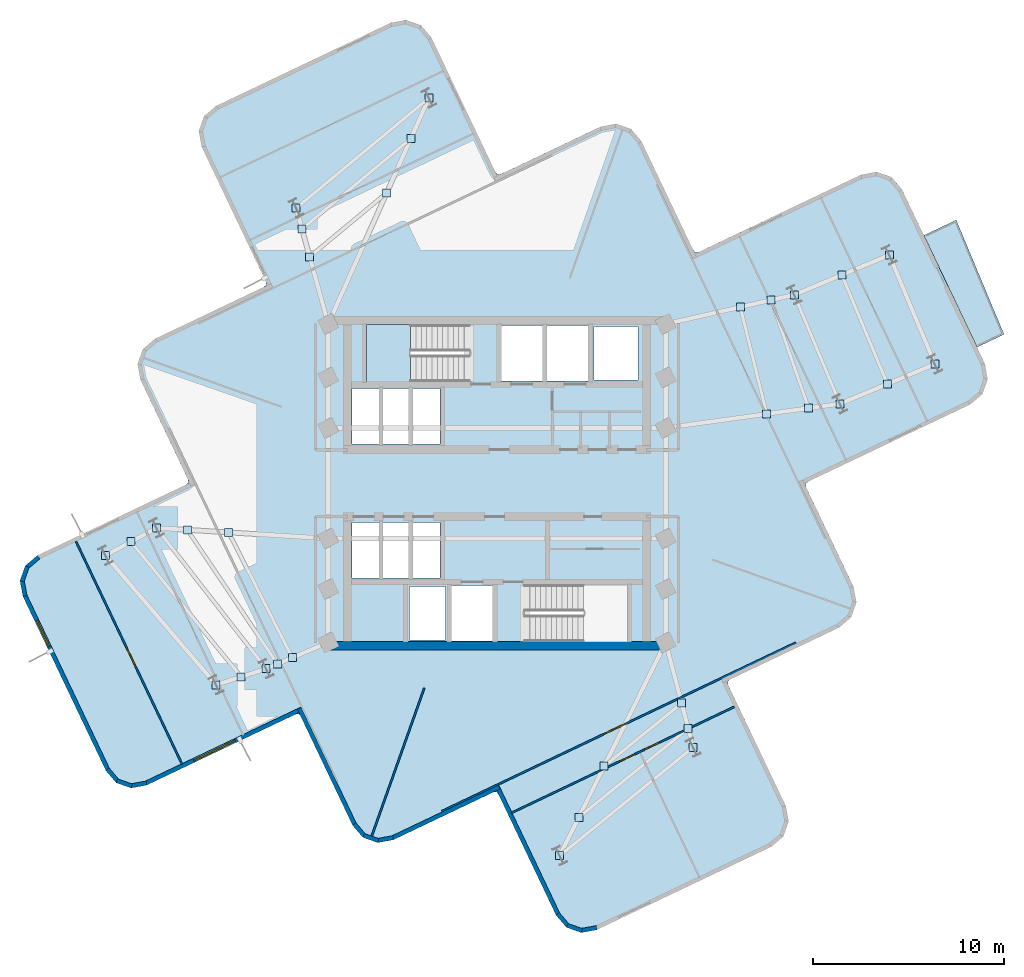
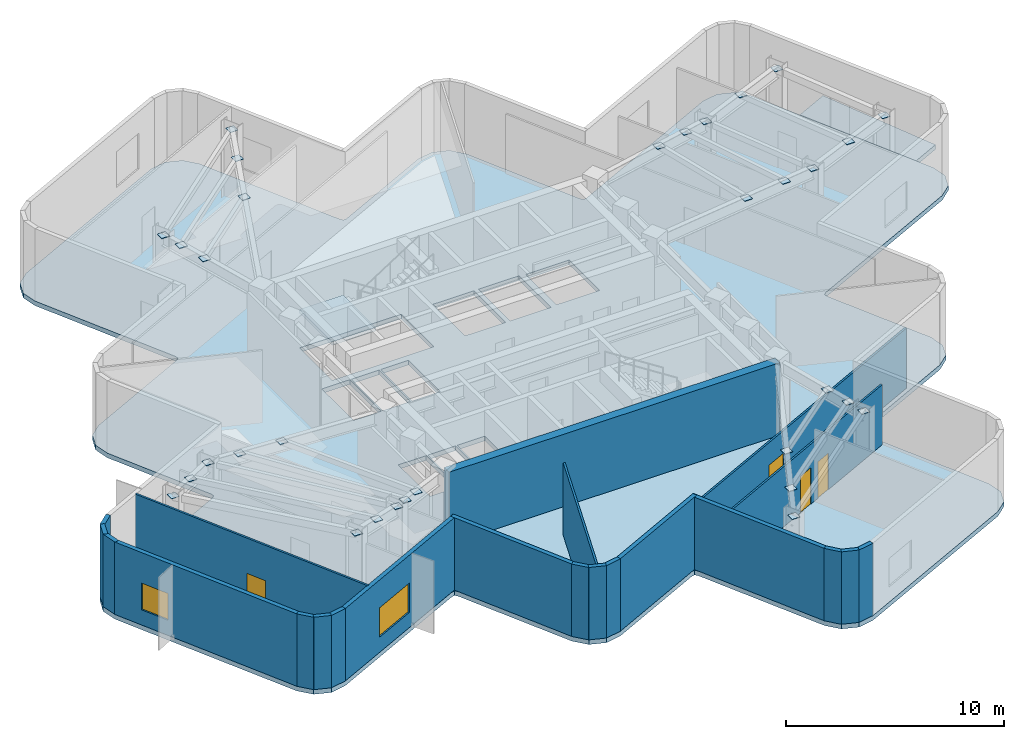
# One storey, part 2 of 7: 32 plates, 22 walls, 4 doors, 3 slabs, 2 windows, 6 openings, 1 element without a shape of its own.
"""IFC4 building model written with IfcOpenShell, lengths in metres."""

import ifcopenshell
import ifcopenshell.guid

model = None  # the IFC model being written
_history = None  # IfcOwnerHistory: only IFC2X3 demands one
_inside = {}  # id of a spatial element -> (the spatial element, [elements in it])
_under = {}  # id of a project, library or spatial element -> (it, [spatial elements below it])
_declared = {}  # id of a project -> (the project, [libraries it declares])
_typed = {}  # id of a type object -> (the type object, [elements of that type])
_made_of = {}  # id of a material, layer set ... -> (it, [elements and type objects made of it])


def new_model(schema):
    """Start an empty IFC model of exactly this schema.

    Asked for "IFC4X3", IfcOpenShell would pick the latest addendum, in which some entities
    have other attributes; the version numbers below select the first issue.
    IFC2X3 requires an IfcOwnerHistory on every rooted entity: one is made here for all.
    """
    global model, _history
    if schema == "IFC4X3":
        model = ifcopenshell.file(schema_version=(4, 3, 0, 0))
    else:
        model = ifcopenshell.file(schema=schema)
    _inside.clear()
    _under.clear()
    _declared.clear()
    _typed.clear()
    _made_of.clear()
    _history = None
    if model.schema == "IFC2X3":
        org = make("IfcOrganization", Name="unknown")
        user = make(
            "IfcPersonAndOrganization",
            ThePerson=make("IfcPerson", FamilyName="unknown"),
            TheOrganization=org,
        )
        app = make(
            "IfcApplication",
            ApplicationDeveloper=org,
            Version="unknown",
            ApplicationFullName="unknown",
            ApplicationIdentifier="unknown",
        )
        _history = make(
            "IfcOwnerHistory",
            OwningUser=user,
            OwningApplication=app,
            ChangeAction="ADDED",
            CreationDate=0,
        )
    return model


def make(cls, **values):
    """One entity of the class cls with the attributes given. An attribute that is None is left unset."""
    return model.create_entity(
        cls, **{name: value for name, value in values.items() if value is not None}
    )


def rooted(cls, **values):
    """An entity with a GlobalId (a new one), such as an element, a storey or a relation."""
    return make(cls, GlobalId=ifcopenshell.guid.new(), OwnerHistory=_history, **values)


def si_unit(unit_type, name, prefix=None):
    """IfcSIUnit, for example si_unit("LENGTHUNIT", "METRE", prefix="MILLI")."""
    return make("IfcSIUnit", UnitType=unit_type, Prefix=prefix, Name=name)


def assignment(units):
    """IfcUnitAssignment: the units of a project."""
    return None if units is None else make("IfcUnitAssignment", Units=units)


def point(xyz):
    """IfcCartesianPoint."""
    return None if xyz is None else make("IfcCartesianPoint", Coordinates=xyz)


def direction(xyz):
    """IfcDirection."""
    return None if xyz is None else make("IfcDirection", DirectionRatios=xyz)


def frame(location, z_axis=None, x_axis=None):
    """IfcAxis2Placement3D, a coordinate frame: its origin and axes. An axis left out is left unset."""
    return make(
        "IfcAxis2Placement3D",
        Location=point(location),
        Axis=direction(z_axis),
        RefDirection=direction(x_axis),
    )


def frame_2d(location, x_axis=None):
    """IfcAxis2Placement2D, a coordinate frame in the plane: its origin and x axis."""
    return make(
        "IfcAxis2Placement2D", Location=point(location), RefDirection=direction(x_axis)
    )


def origin():
    """The frame at (0, 0, 0) with its axes left unset."""
    return frame((0.0, 0.0, 0.0))


def origin_2d():
    """The frame at (0, 0) in the plane with its x axis left unset."""
    return frame_2d((0.0, 0.0))


def place(relative_to, where):
    """IfcLocalPlacement: puts the frame where relative to a parent placement (None: the world)."""
    return make(
        "IfcLocalPlacement", PlacementRelTo=relative_to, RelativePlacement=where
    )


def context(
    kind, dimensions, precision=None, world=None, true_north=None, identifier=None
):
    """IfcGeometricRepresentationContext, for example the 3D "Model" context."""
    return make(
        "IfcGeometricRepresentationContext",
        ContextIdentifier=identifier,
        ContextType=kind,
        CoordinateSpaceDimension=dimensions,
        Precision=precision,
        WorldCoordinateSystem=world,
        TrueNorth=true_north,
    )


def subcontext(parent, identifier, kind, view, scale=None):
    """IfcGeometricRepresentationSubContext, for example "Body" below "Model"."""
    return make(
        "IfcGeometricRepresentationSubContext",
        ContextIdentifier=identifier,
        ContextType=kind,
        ParentContext=parent,
        TargetScale=scale,
        TargetView=view,
    )


def project(units=None, contexts=None):
    """IfcProject with its units and contexts."""
    return rooted(
        "IfcProject",
        Name="project",
        RepresentationContexts=contexts,
        UnitsInContext=assignment(units),
    )


def spatial(cls, under=None, at=None, **own):
    """A site, building, storey or space (cls), placed at a placement, below another one or the project."""
    s = rooted(cls, ObjectPlacement=at, **own)
    if under is not None:
        _under.setdefault(under.id(), (under, []))[1].append(s)
    return s


def polyline(points):
    """IfcPolyline through the points."""
    return make("IfcPolyline", Points=[point(p) for p in points])


def profile(cls, at=None, kind="AREA", **sizes):
    """A parametric profile (cls). Its sizes go by their IFC names, for example OverallWidth=200.0."""
    return make(cls, ProfileType=kind, Position=at, **sizes)


def rectangle(**sizes):
    """IfcRectangleProfileDef."""
    return profile("IfcRectangleProfileDef", **sizes)


def outline(outer, holes=None, kind="AREA"):
    """IfcArbitraryClosedProfileDef: a profile drawn as a closed curve; with holes, ...WithVoids."""
    if holes is None:
        return make("IfcArbitraryClosedProfileDef", ProfileType=kind, OuterCurve=outer)
    return make(
        "IfcArbitraryProfileDefWithVoids",
        ProfileType=kind,
        OuterCurve=outer,
        InnerCurves=holes,
    )


def extrude(swept, where, along, depth):
    """IfcExtrudedAreaSolid: the profile swept, set in the frame where, extruded along a direction by depth."""
    return make(
        "IfcExtrudedAreaSolid",
        SweptArea=swept,
        Position=where,
        ExtrudedDirection=direction(along),
        Depth=depth,
    )


def shape(context_of_items, identifier, shape_type, items):
    """IfcShapeRepresentation: the items that make up one representation, for example the "Body"."""
    return make(
        "IfcShapeRepresentation",
        ContextOfItems=context_of_items,
        RepresentationIdentifier=identifier,
        RepresentationType=shape_type,
        Items=items,
    )


def material(Name=None, Category=None):
    """IfcMaterial."""
    return make("IfcMaterial", Name=Name, Category=Category)


def layer(
    of_material, thickness, ventilated=None, Name=None, Category=None, Priority=None
):
    """IfcMaterialLayer: one layer of a wall or slab, of a material (None: an air gap)."""
    return make(
        "IfcMaterialLayer",
        Material=of_material,
        LayerThickness=thickness,
        IsVentilated=ventilated,
        Name=Name,
        Category=Category,
        Priority=Priority,
    )


def layer_set(layers, Name=None):
    """IfcMaterialLayerSet."""
    return make("IfcMaterialLayerSet", MaterialLayers=layers, LayerSetName=Name)


def made_of(thing, what):
    """Note that an element or type object is made of a material, layer set ...; save() writes the relation."""
    if what is not None:
        _made_of.setdefault(what.id(), (what, []))[1].append(thing)
    return thing


def type_object(cls, material=None, **own):
    """A type object (cls), such as IfcWallType, which elements share."""
    return made_of(rooted(cls, **own), material)


def element(
    cls,
    number,
    at=None,
    inside=None,
    cuts=None,
    type_object=None,
    material=None,
    context=None,
    identifier="Body",
    shape_type=None,
    held_by="IfcProductDefinitionShape",
    body=None,
    shapes=None,
    **own,
):
    """One element of the class cls, such as IfcWall. Its Tag is "e" and its number.

    at: its placement. inside: the storey or other place that contains it. cuts: it is an
    opening in that element (IfcRelVoidsElement). A single representation is given by context,
    identifier, shape_type and body (its items); several are given by shapes. held_by: the class
    of the entity that holds the representations. save() writes the other relations.
    """
    e = rooted(cls, Tag="e%d" % number, ObjectPlacement=at, **own)
    if body is not None:
        shapes = [shape(context, identifier, shape_type, body)]
    if shapes is not None:
        e.Representation = make(held_by, Representations=shapes)
    if inside is not None:
        _inside.setdefault(inside.id(), (inside, []))[1].append(e)
    if cuts is not None:
        rooted(
            "IfcRelVoidsElement", RelatingBuildingElement=cuts, RelatedOpeningElement=e
        )
    if type_object is not None:
        _typed.setdefault(type_object.id(), (type_object, []))[1].append(e)
    return made_of(e, material)


def fill(opening, filler):
    """IfcRelFillsElement: the door or window that sits in an opening."""
    return rooted(
        "IfcRelFillsElement",
        RelatingOpeningElement=opening,
        RelatedBuildingElement=filler,
    )


def aggregate(whole, parts):
    """IfcRelAggregates: a whole, such as a stair, and the parts it consists of."""
    return rooted("IfcRelAggregates", RelatingObject=whole, RelatedObjects=parts)


def save(model, path):
    """Write the relations noted so far, then the file.

    IfcRelAggregates (storeys below a building ...), IfcRelContainedInSpatialStructure (elements
    in a storey), IfcRelDefinesByType, IfcRelAssociatesMaterial and IfcRelDeclares: one each for
    every whole, place, type object, material and project.
    """
    for whole, parts in _under.values():
        aggregate(whole, parts)
    for where, things in _inside.values():
        rooted(
            "IfcRelContainedInSpatialStructure",
            RelatedElements=things,
            RelatingStructure=where,
        )
    for kind, things in _typed.values():
        rooted("IfcRelDefinesByType", RelatedObjects=things, RelatingType=kind)
    for what, things in _made_of.values():
        rooted("IfcRelAssociatesMaterial", RelatedObjects=things, RelatingMaterial=what)
    for by, libraries in _declared.values():
        rooted("IfcRelDeclares", RelatingContext=by, RelatedDefinitions=libraries)
    model.write(path)


model = new_model("IFC4")

# Units and contexts
model_context = context("Model", 3, precision=1e-05, world=origin(), true_north=direction((0.0, 1.0)))
body_context = subcontext(model_context, "Body", "Model", "MODEL_VIEW")
ifc_project = project(units=[si_unit("LENGTHUNIT", "METRE"), si_unit("AREAUNIT", "SQUARE_METRE"), si_unit("VOLUMEUNIT", "CUBIC_METRE"), si_unit("PLANEANGLEUNIT", "RADIAN"), si_unit("MASSUNIT", "GRAM", prefix="KILO")], contexts=[model_context])

# Site, building, storey
site_placement = place(None, origin())
site = spatial("IfcSite", under=ifc_project, at=site_placement, CompositionType="ELEMENT")
building_placement = place(site_placement, origin())
building = spatial("IfcBuilding", under=site, at=building_placement, Name="Solmarez Civic Tower", CompositionType="ELEMENT")
storey_placement = place(building_placement, frame((0.0, 0.0, 188.280029296875)))
storey = spatial("IfcBuildingStorey", under=building, at=storey_placement, Name="L50", CompositionType="ELEMENT", Elevation=188.280029296875)

# Plates
ifc_material_1 = material(Name="Steel S355", Category="steel")
ifc_layer_1 = layer(ifc_material_1, 0.02392578125)
ifc_layer_set_1 = layer_set([ifc_layer_1], Name="Steel S355")
plate_type = type_object("IfcPlateType", Name="PLT-CAP-380", PredefinedType="USERDEFINED", material=ifc_layer_set_1)
for number, where, z_axis, x_axis, name in (
    (1, (17.987060546875, 4.1640625, 3.89794921875), (0.0, 0.0, 1.0), (1.0, 0.0, 0.0), "Steel Member End Cap Plate CAP-BM-L50-EA-T1-0"),
    (2, (15.593994140625, 9.883056640625, 3.89794921875), (0.0, 0.0, 1.0), (1.0, 0.0, 0.0), "Steel Member End Cap Plate CAP-BM-L50-EA-T1-1"),
    (3, (22.968017578125, 6.248046875, 3.847900390625), (0.0, 0.0, 1.0), (1.0, 0.0, 0.0), "Steel Member End Cap Plate CAP-BM-L50-EA-T2-0"),
    (4, (20.575927734375, 11.967041015625, 3.847900390625), (0.0, 0.0, 1.0), (1.0, 0.0, 0.0), "Steel Member End Cap Plate CAP-BM-L50-EA-T2-1"),
    (5, (20.47705078125, 5.2060546875, 3.89794921875), (0.0, 0.0, 1.0), (1.0, 0.0, 0.0), "Steel Member End Cap Plate CAP-JS-L50-EA-M2-0"),
    (6, (18.0849609375, 10.925048828125, 3.89794921875), (0.0, 0.0, 1.0), (1.0, 0.0, 0.0), "Steel Member End Cap Plate CAP-JS-L50-EA-M2-1"),
    (7, (14.14892578125, 3.633056640625, 3.89794921875), (0.0, 0.0, 1.0), (1.0, 0.0, 0.0), "Steel Member End Cap Plate CAP-JS-L50-EA-M11-0"),
    (8, (12.761962890625, 9.239013671875, 3.89794921875), (0.0, 0.0, 1.0), (1.0, 0.0, 0.0), "Steel Member End Cap Plate CAP-JS-L50-EA-M11-1"),
    (9, (16.342041015625, 3.93603515625, 3.89794921875), (0.0, 0.0, 1.0), (1.0, 0.0, 0.0), "Steel Member End Cap Plate CAP-JS-L50-EA-M12-0"),
    (10, (14.3798828125, 9.60693359375, 3.89794921875), (0.0, 0.0, 1.0), (1.0, 0.0, 0.0), "Steel Member End Cap Plate CAP-JS-L50-EA-M12-1"),
    (11, (-3.570068359375, 20.20703125, 3.89794921875), (0.0, 0.0, 1.0), (1.0, 0.0, 0.0), "Steel Member End Cap Plate CAP-BM-L50-NA-T1-0"),
    (12, (-10.532958984375, 14.43310546875, 3.89794921875), (0.0, 0.0, 1.0), (1.0, 0.0, 0.0), "Steel Member End Cap Plate CAP-BM-L50-NA-T1-1"),
    (13, (-5.7880859375, 15.22705078125, 3.89794921875), (0.0, 0.0, 1.0), (1.0, 0.0, 0.0), "Steel Member End Cap Plate CAP-JS-L50-NA-M11-0"),
    (14, (-9.825927734375, 11.8779296875, 3.89794921875), (0.0, 0.0, 1.0), (1.0, 0.0, 0.0), "Steel Member End Cap Plate CAP-JS-L50-NA-M11-1"),
    (15, (-4.52001953125, 18.072998046875, 3.89794921875), (0.0, 0.0, 1.0), (1.0, 0.0, 0.0), "Steel Member End Cap Plate CAP-JS-L50-NA-M12-0"),
    (16, (-10.22998046875, 13.337890625, 3.89794921875), (0.0, 0.0, 1.0), (1.0, 0.0, 0.0), "Steel Member End Cap Plate CAP-JS-L50-NA-M12-1"),
    (17, (-17.85791015625, -2.345947265625, 3.89794921875), (0.0, 0.0, 1.0), (1.0, 0.0, 0.0), "Steel Member End Cap Plate CAP-BM-L50-WA-T1-0"),
    (18, (-12.10595703125, -9.73095703125, 3.89794921875), (0.0, 0.0, 1.0), (1.0, 0.0, 0.0), "Steel Member End Cap Plate CAP-BM-L50-WA-T1-1"),
    (19, (-20.534912109375, -3.7880859375, 3.847900390625), (0.0, 0.0, 1.0), (1.0, 0.0, 0.0), "Steel Member End Cap Plate CAP-BM-L50-WA-T2-0"),
    (20, (-14.73095703125, -10.572998046875, 3.847900390625), (0.0, 0.0, 1.0), (1.0, 0.0, 0.0), "Steel Member End Cap Plate CAP-BM-L50-WA-T2-1"),
    (21, (-19.197021484375, -3.06689453125, 3.89794921875), (0.0, 0.0, 1.0), (1.0, 0.0, 0.0), "Steel Member End Cap Plate CAP-JS-L50-WA-M2-0"),
    (22, (-13.41796875, -10.152099609375, 3.89794921875), (0.0, 0.0, 1.0), (1.0, 0.0, 0.0), "Steel Member End Cap Plate CAP-JS-L50-WA-M2-1"),
    (23, (-14.074951171875, -2.5791015625, 3.89794921875), (0.0, 0.0, 1.0), (1.0, 0.0, 0.0), "Steel Member End Cap Plate CAP-JS-L50-WA-M11-0"),
    (24, (-10.738037109375, -9.15087890625, 3.89794921875), (0.0, 0.0, 1.0), (1.0, 0.0, 0.0), "Steel Member End Cap Plate CAP-JS-L50-WA-M11-1"),
    (25, (-16.237060546875, -2.446044921875, 3.89794921875), (0.0, 0.0, 1.0), (1.0, 0.0, 0.0), "Steel Member End Cap Plate CAP-JS-L50-WA-M12-0"),
    (26, (-11.52001953125, -9.48193359375, 3.89794921875), (0.0, 0.0, 1.0), (1.0, 0.0, 0.0), "Steel Member End Cap Plate CAP-JS-L50-WA-M12-1"),
    (27, (3.2900390625, -19.535888671875, 3.89794921875), (0.0, 0.0, 1.0), (1.0, 0.0, 0.0), "Steel Member End Cap Plate CAP-BM-L50-SA-T1-0"),
    (28, (10.2900390625, -13.85009765625, 3.89794921875), (0.0, 0.0, 1.0), (1.0, 0.0, 0.0), "Steel Member End Cap Plate CAP-BM-L50-SA-T1-1"),
    (29, (5.625, -14.837890625, 3.89794921875), (0.0, 0.0, 1.0), (1.0, 0.0, 0.0), "Steel Member End Cap Plate CAP-JS-L50-SA-M11-0"),
    (30, (9.68505859375, -11.5400390625, 3.89794921875), (0.0, 0.0, 1.0), (1.0, 0.0, 0.0), "Steel Member End Cap Plate CAP-JS-L50-SA-M11-1"),
    (31, (4.291015625, -17.52294921875, 3.89794921875), (0.0, 0.0, 1.0), (1.0, 0.0, 0.0), "Steel Member End Cap Plate CAP-JS-L50-SA-M12-0"),
    (32, (10.031005859375, -12.860107421875, 3.89794921875), (0.0, 0.0, 1.0), (1.0, 0.0, 0.0), "Steel Member End Cap Plate CAP-JS-L50-SA-M12-1"),
):
    element("IfcPlate", number, at=place(storey_placement, frame(where, z_axis=z_axis, x_axis=x_axis)), inside=storey, type_object=plate_type, Name=name, ObjectType="CAP_PLATE", PredefinedType="USERDEFINED", context=body_context, shape_type="SweptSolid", body=[
        extrude(rectangle(XDim=0.419921875, YDim=0.419921875, at=origin_2d()), origin(), (0.0, 0.0, 1.0), 0.02392578125),
    ])

# Stair, slab
ifc_material_2 = material(Name="Concrete C50/60", Category="concrete")
stair_type = type_object("IfcStairType", Name="STAIR-DOGLEG-140W-24R-1800", PredefinedType="HALF_TURN_STAIR", material=ifc_material_2)
stair_placement = place(storey_placement, origin())
stair = element("IfcStair", 33, at=stair_placement, inside=storey, type_object=stair_type, Name="L50 North Core Protected Exit Stair ST-1", PredefinedType="HALF_TURN_STAIR")
ifc_layer_2 = layer(ifc_material_2, 0.199951171875)
ifc_layer_set_2 = layer_set([ifc_layer_2], Name="Concrete C50/60")
slab_type_1 = type_object("IfcSlabType", Name="SLAB-LANDING-200", PredefinedType="LANDING", material=ifc_layer_set_2)
slab_1_placement = place(storey_placement, frame((0.0, 0.0, 1.9599609375)))
slab_1 = element("IfcSlab", 34, at=slab_1_placement, type_object=slab_type_1, Name="ST-1 landing 1", PredefinedType="LANDING", context=body_context, shape_type="SweptSolid", body=[
    extrude(outline(polyline([(-4.530029296875, 8.320068359375), (-6.85009765625, 8.320068359375), (-6.85009765625, 5.320068359375), (-4.530029296875, 5.320068359375), (-4.530029296875, 8.320068359375)])), origin(), (0.0, 0.0, 1.0), 0.199951171875),
])
aggregate(stair, [slab_1])

# Slabs
ifc_layer_3 = layer(ifc_material_2, 0.260009765625)
ifc_layer_set_3 = layer_set([ifc_layer_3], Name="Concrete C50/60")
slab_type_2 = type_object("IfcSlabType", Name="SLAB-TOWER-260", PredefinedType="FLOOR", material=ifc_layer_set_3)
slab_2_placement = place(storey_placement, frame((0.0, 0.0, -0.260009765625)))
element("IfcSlab", 35, at=slab_2_placement, inside=storey, type_object=slab_type_2, Name="L50 Structural Slab", PredefinedType="FLOOR", context=body_context, shape_type="SweptSolid", body=[
    extrude(outline(polyline([(-10.294921875, -12.222900390625), (-7.570068359375, -17.947021484375), (-7.032958984375, -18.576904296875), (-6.251953125, -18.85400390625), (-5.43798828125, -18.7041015625), (-0.200927734375, -16.2109375), (-0.031982421875, -16.179931640625), (0.0791015625, -16.31103515625), (3.10498046875, -22.666015625), (3.64306640625, -23.2958984375), (4.423095703125, -23.572998046875), (5.238037109375, -23.423095703125), (14.39306640625, -19.06396484375), (15.02294921875, -18.527099609375), (15.300048828125, -17.74609375), (15.14990234375, -16.931884765625), (12.1240234375, -10.575927734375), (12.093017578125, -10.406982421875), (12.222900390625, -10.294921875), (17.947021484375, -7.570068359375), (18.576904296875, -7.032958984375), (18.85400390625, -6.251953125), (18.7041015625, -5.43798828125), (16.2109375, -0.200927734375), (16.179931640625, -0.031982421875), (16.31103515625, 0.0791015625), (24.8330078125, 4.136962890625), (25.462890625, 4.675048828125), (25.739990234375, 5.455078125), (25.590087890625, 6.27001953125), (21.23095703125, 15.425048828125), (20.694091796875, 16.054931640625), (19.9130859375, 16.33203125), (19.09912109375, 16.181884765625), (10.575927734375, 12.1240234375), (10.406982421875, 12.093017578125), (10.294921875, 12.222900390625), (7.570068359375, 17.947021484375), (7.032958984375, 18.576904296875), (6.251953125, 18.85400390625), (5.43798828125, 18.7041015625), (0.200927734375, 16.2109375), (0.031982421875, 16.179931640625), (-0.0791015625, 16.31103515625), (-3.448974609375, 23.388916015625), (-3.987060546875, 24.01904296875), (-4.76708984375, 24.2958984375), (-5.58203125, 24.14501953125), (-14.737060546875, 19.785888671875), (-15.366943359375, 19.2490234375), (-15.64404296875, 18.468017578125), (-15.493896484375, 17.654052734375), (-12.1240234375, 10.575927734375), (-12.093017578125, 10.406982421875), (-12.222900390625, 10.294921875), (-17.947021484375, 7.570068359375), (-18.576904296875, 7.032958984375), (-18.85400390625, 6.251953125), (-18.7041015625, 5.43798828125), (-16.2109375, 0.200927734375), (-16.179931640625, 0.031982421875), (-16.31103515625, -0.0791015625), (-24.111083984375, -3.79296875), (-24.740966796875, -4.3310546875), (-25.01806640625, -5.111083984375), (-24.867919921875, -5.926025390625), (-20.509033203125, -15.0810546875), (-19.970947265625, -15.7109375), (-19.19091796875, -15.988037109375), (-18.3759765625, -15.837890625), (-10.575927734375, -12.1240234375), (-10.406982421875, -12.093017578125), (-10.294921875, -12.222900390625)]), holes=[polyline([(-1.449951171875, 8.320068359375), (-6.85009765625, 8.320068359375), (-6.85009765625, 5.320068359375), (-1.449951171875, 5.320068359375), (-1.449951171875, 8.320068359375)]), polyline([(1.449951171875, -8.320068359375), (6.85009765625, -8.320068359375), (6.85009765625, -5.320068359375), (1.449951171875, -5.320068359375), (1.449951171875, -8.320068359375)]), polyline([(0.219970703125, 5.360107421875), (2.3798828125, 5.360107421875), (2.3798828125, 8.280029296875), (0.219970703125, 8.280029296875), (0.219970703125, 5.360107421875)]), polyline([(2.6201171875, 5.360107421875), (4.780029296875, 5.360107421875), (4.780029296875, 8.280029296875), (2.6201171875, 8.280029296875), (2.6201171875, 5.360107421875)]), polyline([(-2.3798828125, -8.280029296875), (-0.219970703125, -8.280029296875), (-0.219970703125, -5.360107421875), (-2.3798828125, -5.360107421875), (-2.3798828125, -8.280029296875)]), polyline([(-7.60009765625, -4.9599609375), (-6.1201171875, -4.9599609375), (-6.1201171875, -2.06005859375), (-7.60009765625, -2.06005859375), (-7.60009765625, -4.9599609375)]), polyline([(-6.0400390625, -4.9599609375), (-4.56005859375, -4.9599609375), (-4.56005859375, -2.06005859375), (-6.0400390625, -2.06005859375), (-6.0400390625, -4.9599609375)]), polyline([(-4.47998046875, -4.9599609375), (-3.0, -4.9599609375), (-3.0, -2.06005859375), (-4.47998046875, -2.06005859375), (-4.47998046875, -4.9599609375)]), polyline([(-7.60009765625, 2.06005859375), (-6.1201171875, 2.06005859375), (-6.1201171875, 4.9599609375), (-7.60009765625, 4.9599609375), (-7.60009765625, 2.06005859375)]), polyline([(-6.0400390625, 2.06005859375), (-4.56005859375, 2.06005859375), (-4.56005859375, 4.9599609375), (-6.0400390625, 4.9599609375), (-6.0400390625, 2.06005859375)]), polyline([(-4.47998046875, 2.06005859375), (-3.0, 2.06005859375), (-3.0, 4.9599609375), (-4.47998046875, 4.9599609375), (-4.47998046875, 2.06005859375)]), polyline([(5.10009765625, 5.419921875), (7.39990234375, 5.419921875), (7.39990234375, 8.219970703125), (5.10009765625, 8.219970703125), (5.10009765625, 5.419921875)]), polyline([(-4.60009765625, -8.219970703125), (-2.699951171875, -8.219970703125), (-2.699951171875, -5.419921875), (-4.60009765625, -5.419921875), (-4.60009765625, -8.219970703125)])]), origin(), (0.0, 0.0, 1.0), 0.260009765625),
])
slab_3_placement = place(storey_placement, frame((0.0, 0.0, -0.260009765625)))
element("IfcSlab", 36, at=slab_3_placement, inside=storey, type_object=slab_type_2, Name="L50 Cantilevered Sky-Pool Structural Deck", PredefinedType="FLOOR", context=body_context, shape_type="SweptSolid", body=[
    extrude(outline(polyline([(22.388916015625, 12.9970703125), (25.179931640625, 7.135009765625), (26.593017578125, 7.80810546875), (24.0849609375, 13.803955078125), (22.388916015625, 12.9970703125)])), origin(), (0.0, 0.0, 1.0), 0.260009765625),
])

# Wall
ifc_layer_4 = layer(ifc_material_2, 0.449951171875)
ifc_layer_set_4 = layer_set([ifc_layer_4], Name="Concrete C50/60")
wall_type_1 = type_object("IfcWallType", Name="WALL-CORE-450", PredefinedType="SHEAR", material=ifc_layer_set_4)
wall_1_placement = place(storey_placement, frame((8.780029296875, -8.534912109375, 0.0), z_axis=(0.0, 0.0, 1.0), x_axis=(-1.0, 0.0, 0.0)))
element("IfcWall", 37, at=wall_1_placement, inside=storey, type_object=wall_type_1, Name="L50 Split-Core Structural Wall SCW-S-L50", PredefinedType="SHEAR", context=body_context, shape_type="SweptSolid", body=[
    extrude(rectangle(XDim=17.56005859375, YDim=0.449951171875, at=frame_2d((8.780029296875, 0.0))), origin(), (0.0, 0.0, 1.0), 4.06005859375),
])

# Wall, opening, window
ifc_material_3 = material(Name="Precast concrete C40/50", Category="concrete")
ifc_layer_5 = layer(ifc_material_3, 0.219970703125)
ifc_layer_set_5 = layer_set([ifc_layer_5], Name="Precast concrete C40/50")
wall_type_2 = type_object("IfcWallType", Name="WALL-EXT-220", PredefinedType="SOLIDWALL", material=ifc_layer_set_5)
wall_2_placement = place(storey_placement, frame((-10.2548828125, -11.847900390625, 0.0), z_axis=(0.0, 0.0, 1.0), x_axis=(-0.902833615009, -0.429990073851, 0.0)))
wall_2 = element("IfcWall", 38, at=wall_2_placement, inside=storey, type_object=wall_type_2, Name="L50 Exterior Precast Wall 2", PredefinedType="SOLIDWALL", context=body_context, shape_type="SweptSolid", body=[
    extrude(rectangle(XDim=9.058349609375, YDim=0.219970703125, at=frame_2d((4.529296875, 0.0))), origin(), (0.0, 0.0, 1.0), 4.06005859375),
])
opening_1_placement = place(wall_2_placement, frame((3.85009765625, 0.0, 0.85009765625)))
opening_1 = element("IfcOpeningElement", 39, at=opening_1_placement, cuts=wall_2, Name="Opening W-10", PredefinedType="OPENING", context=body_context, shape_type="SweptSolid", body=[
    extrude(rectangle(XDim=2.39990234375, YDim=1.64990234375, at=frame_2d((1.199951171875, 0.824951171875))), frame((0.0, 0.119873046875, 0.0), z_axis=(0.0, -1.0, 0.0), x_axis=(1.0, 0.0, 0.0)), (0.0, 0.0, 1.0), 0.239990234375),
])
ifc_material_4 = material(Name="Solar Control Bronze-Tinted Insulating Glass", Category="glass")
window_type_1 = type_object("IfcWindowType", Name="WIN-2400X1650", PartitioningType="SINGLE_PANEL", PredefinedType="WINDOW", material=ifc_material_4)
window_1_placement = place(opening_1_placement, origin())
window_1 = element("IfcWindow", 40, at=window_1_placement, inside=storey, type_object=window_type_1, Name="L50 Exterior Facade Window 2", OverallHeight=1.64990234375, OverallWidth=2.39990234375, PartitioningType="SINGLE_PANEL", PredefinedType="WINDOW", context=body_context, shape_type="SweptSolid", body=[
    extrude(rectangle(XDim=2.39990234375, YDim=1.64990234375, at=frame_2d((1.199951171875, 0.824951171875))), frame((0.0, 0.030029296875, 0.0), z_axis=(0.0, -1.0, 0.0), x_axis=(1.0, 0.0, 0.0)), (0.0, 0.0, 1.0), 0.06005859375),
])
fill(opening_1, window_1)

# Walls
wall_3_placement = place(storey_placement, frame((-18.385009765625, -15.72705078125, 0.0), z_axis=(0.0, 0.0, 1.0), x_axis=(-0.983152022253, -0.182789773071, 0.0)))
element("IfcWall", 41, at=wall_3_placement, inside=storey, type_object=wall_type_2, Name="L50 Exterior Precast Wall 3", PredefinedType="SOLIDWALL", context=body_context, shape_type="SweptSolid", body=[
    extrude(rectangle(XDim=0.836181640625, YDim=0.219970703125, at=frame_2d((0.41796875, 0.0))), origin(), (0.0, 0.0, 1.0), 4.06005859375),
])
wall_4_placement = place(storey_placement, frame((-19.157958984375, -15.883056640625, 0.0), z_axis=(0.0, 0.0, 1.0), x_axis=(-0.94246708165, 0.334298968001, 0.0)))
element("IfcWall", 42, at=wall_4_placement, inside=storey, type_object=wall_type_2, Name="L50 Exterior Precast Wall 4", PredefinedType="SOLIDWALL", context=body_context, shape_type="SweptSolid", body=[
    extrude(rectangle(XDim=0.820068359375, YDim=0.219970703125, at=frame_2d((0.41015625, 0.0))), origin(), (0.0, 0.0, 1.0), 4.06005859375),
])
wall_5_placement = place(storey_placement, frame((-19.89111328125, -15.635986328125, 0.0), z_axis=(0.0, 0.0, 1.0), x_axis=(-0.64893164197, 0.760846715213, 0.0)))
element("IfcWall", 43, at=wall_5_placement, inside=storey, type_object=wall_type_2, Name="L50 Exterior Precast Wall 5", PredefinedType="SOLIDWALL", context=body_context, shape_type="SweptSolid", body=[
    extrude(rectangle(XDim=0.833251953125, YDim=0.219970703125, at=frame_2d((0.41650390625, 0.0))), origin(), (0.0, 0.0, 1.0), 4.06005859375),
])

# Wall, opening, window
wall_6_placement = place(storey_placement, frame((-20.405029296875, -15.0439453125, 0.0), z_axis=(0.0, 0.0, 1.0), x_axis=(-0.429803955781, 0.902922233415, 0.0)))
wall_6 = element("IfcWall", 44, at=wall_6_placement, inside=storey, type_object=wall_type_2, Name="L50 Exterior Precast Wall 6", PredefinedType="SOLIDWALL", context=body_context, shape_type="SweptSolid", body=[
    extrude(rectangle(XDim=10.16259765625, YDim=0.219970703125, at=frame_2d((5.081298828125, 0.0))), origin(), (0.0, 0.0, 1.0), 4.06005859375),
])
opening_2_placement = place(wall_6_placement, frame((7.177001953125, 0.0, 0.85009765625)))
opening_2 = element("IfcOpeningElement", 45, at=opening_2_placement, cuts=wall_6, Name="Opening W-14", PredefinedType="OPENING", context=body_context, shape_type="SweptSolid", body=[
    extrude(rectangle(XDim=1.5, YDim=1.5, at=frame_2d((0.75, 0.75))), frame((0.0, 0.119873046875, 0.0), z_axis=(0.0, -1.0, 0.0), x_axis=(1.0, 0.0, 0.0)), (0.0, 0.0, 1.0), 0.239990234375),
])
window_type_2 = type_object("IfcWindowType", Name="WIN-1500X1500", PartitioningType="SINGLE_PANEL", PredefinedType="WINDOW", material=ifc_material_4)
window_2_placement = place(opening_2_placement, origin())
window_2 = element("IfcWindow", 46, at=window_2_placement, inside=storey, type_object=window_type_2, Name="L50 Exterior Facade Window 6", OverallHeight=1.5, OverallWidth=1.5, PartitioningType="SINGLE_PANEL", PredefinedType="WINDOW", context=body_context, shape_type="SweptSolid", body=[
    extrude(rectangle(XDim=1.5, YDim=1.5, at=frame_2d((0.75, 0.75))), frame((0.0, 0.030029296875, 0.0), z_axis=(0.0, -1.0, 0.0), x_axis=(1.0, 0.0, 0.0)), (0.0, 0.0, 1.0), 0.06005859375),
])
fill(opening_2, window_2)

# Walls
wall_7_placement = place(storey_placement, frame((-24.757080078125, -5.916015625, 0.0), z_axis=(0.0, 0.0, 1.0), x_axis=(-0.182999909077, 0.983112930074, 0.0)))
element("IfcWall", 47, at=wall_7_placement, inside=storey, type_object=wall_type_2, Name="L50 Exterior Precast Wall 7", PredefinedType="SOLIDWALL", context=body_context, shape_type="SweptSolid", body=[
    extrude(rectangle(XDim=0.835205078125, YDim=0.219970703125, at=frame_2d((0.41748046875, 0.0))), origin(), (0.0, 0.0, 1.0), 4.06005859375),
])
wall_8_placement = place(storey_placement, frame((-24.9130859375, -5.14404296875, 0.0), z_axis=(0.0, 0.0, 1.0), x_axis=(0.334298968001, 0.94246708165, 0.0)))
element("IfcWall", 48, at=wall_8_placement, inside=storey, type_object=wall_type_2, Name="L50 Exterior Precast Wall 8", PredefinedType="SOLIDWALL", context=body_context, shape_type="SweptSolid", body=[
    extrude(rectangle(XDim=0.820068359375, YDim=0.219970703125, at=frame_2d((0.41015625, 0.0))), origin(), (0.0, 0.0, 1.0), 4.06005859375),
])
wall_9_placement = place(storey_placement, frame((-24.666015625, -4.410888671875, 0.0), z_axis=(0.0, 0.0, 1.0), x_axis=(0.760846715213, 0.64893164197, 0.0)))
element("IfcWall", 49, at=wall_9_placement, inside=storey, type_object=wall_type_2, Name="L50 Exterior Precast Wall 9", PredefinedType="SOLIDWALL", context=body_context, shape_type="SweptSolid", body=[
    extrude(rectangle(XDim=0.833251953125, YDim=0.219970703125, at=frame_2d((0.41650390625, 0.0))), origin(), (0.0, 0.0, 1.0), 4.06005859375),
])
wall_10_placement = place(storey_placement, frame((5.22900390625, -23.31298828125, 0.0), z_axis=(0.0, 0.0, 1.0), x_axis=(-0.983309106839, -0.18194284929, 0.0)))
element("IfcWall", 50, at=wall_10_placement, inside=storey, type_object=wall_type_2, Name="L50 Exterior Precast Wall 61", PredefinedType="SOLIDWALL", context=body_context, shape_type="SweptSolid", body=[
    extrude(rectangle(XDim=0.8359375, YDim=0.219970703125, at=frame_2d((0.41796875, 0.0))), origin(), (0.0, 0.0, 1.0), 4.06005859375),
])
wall_11_placement = place(storey_placement, frame((4.4560546875, -23.468017578125, 0.0), z_axis=(0.0, 0.0, 1.0), x_axis=(-0.94293533639, 0.332975902111, 0.0)))
element("IfcWall", 51, at=wall_11_placement, inside=storey, type_object=wall_type_2, Name="L50 Exterior Precast Wall 62", PredefinedType="SOLIDWALL", context=body_context, shape_type="SweptSolid", body=[
    extrude(rectangle(XDim=0.81982421875, YDim=0.219970703125, at=frame_2d((0.409912109375, 0.0))), origin(), (0.0, 0.0, 1.0), 4.06005859375),
])
wall_12_placement = place(storey_placement, frame((3.722900390625, -23.221923828125, 0.0), z_axis=(0.0, 0.0, 1.0), x_axis=(-0.648522984106, 0.761195072952, 0.0)))
element("IfcWall", 52, at=wall_12_placement, inside=storey, type_object=wall_type_2, Name="L50 Exterior Precast Wall 63", PredefinedType="SOLIDWALL", context=body_context, shape_type="SweptSolid", body=[
    extrude(rectangle(XDim=0.834228515625, YDim=0.219970703125, at=frame_2d((0.4169921875, 0.0))), origin(), (0.0, 0.0, 1.0), 4.06005859375),
])
wall_13_placement = place(storey_placement, frame((3.208984375, -22.62890625, 0.0), z_axis=(0.0, 0.0, 1.0), x_axis=(-0.429928498614, 0.902862938701, 0.0)))
element("IfcWall", 53, at=wall_13_placement, inside=storey, type_object=wall_type_2, Name="L50 Exterior Precast Wall 64", PredefinedType="SOLIDWALL", context=body_context, shape_type="SweptSolid", body=[
    extrude(rectangle(XDim=7.45947265625, YDim=0.219970703125, at=frame_2d((3.729736328125, 0.0))), origin(), (0.0, 0.0, 1.0), 4.06005859375),
])
wall_14_placement = place(storey_placement, frame((0.118896484375, -15.93505859375, 0.0), z_axis=(0.0, 0.0, 1.0), x_axis=(-0.902830035878, -0.429997588734, 0.0)))
element("IfcWall", 54, at=wall_14_placement, inside=storey, type_object=wall_type_2, Name="L50 Exterior Precast Wall 67", PredefinedType="SOLIDWALL", context=body_context, shape_type="SweptSolid", body=[
    extrude(rectangle(XDim=6.21826171875, YDim=0.219970703125, at=frame_2d((3.109130859375, 0.0))), origin(), (0.0, 0.0, 1.0), 4.06005859375),
])
wall_15_placement = place(storey_placement, frame((-5.447021484375, -18.593017578125, 0.0), z_axis=(0.0, 0.0, 1.0), x_axis=(-0.983060298944, -0.183282428617, 0.0)))
element("IfcWall", 55, at=wall_15_placement, inside=storey, type_object=wall_type_2, Name="L50 Exterior Precast Wall 68", PredefinedType="SOLIDWALL", context=body_context, shape_type="SweptSolid", body=[
    extrude(rectangle(XDim=0.835205078125, YDim=0.219970703125, at=frame_2d((0.41748046875, 0.0))), origin(), (0.0, 0.0, 1.0), 4.06005859375),
])
wall_16_placement = place(storey_placement, frame((-6.218994140625, -18.7490234375, 0.0), z_axis=(0.0, 0.0, 1.0), x_axis=(-0.942560843875, 0.33403451258, 0.0)))
element("IfcWall", 56, at=wall_16_placement, inside=storey, type_object=wall_type_2, Name="L50 Exterior Precast Wall 69", PredefinedType="SOLIDWALL", context=body_context, shape_type="SweptSolid", body=[
    extrude(rectangle(XDim=0.820068359375, YDim=0.219970703125, at=frame_2d((0.41015625, 0.0))), origin(), (0.0, 0.0, 1.0), 4.06005859375),
])
wall_17_placement = place(storey_placement, frame((-6.951904296875, -18.501953125, 0.0), z_axis=(0.0, 0.0, 1.0), x_axis=(-0.649101191157, 0.76070207285, 0.0)))
element("IfcWall", 57, at=wall_17_placement, inside=storey, type_object=wall_type_2, Name="L50 Exterior Precast Wall 70", PredefinedType="SOLIDWALL", context=body_context, shape_type="SweptSolid", body=[
    extrude(rectangle(XDim=0.83349609375, YDim=0.219970703125, at=frame_2d((0.416748046875, 0.0))), origin(), (0.0, 0.0, 1.0), 4.06005859375),
])
wall_18_placement = place(storey_placement, frame((-7.466064453125, -17.909912109375, 0.0), z_axis=(0.0, 0.0, 1.0), x_axis=(-0.429909746524, 0.902871867899, 0.0)))
element("IfcWall", 58, at=wall_18_placement, inside=storey, type_object=wall_type_2, Name="L50 Exterior Precast Wall 71", PredefinedType="SOLIDWALL", context=body_context, shape_type="SweptSolid", body=[
    extrude(rectangle(XDim=6.759521484375, YDim=0.219970703125, at=frame_2d((3.3798828125, 0.0))), origin(), (0.0, 0.0, 1.0), 4.06005859375),
])
ifc_material_5 = material(Name="Gypsum Board Acoustic Steel-Stud Partition", Category="steel")
ifc_layer_6 = layer(ifc_material_5, 0.10009765625)
ifc_layer_set_6 = layer_set([ifc_layer_6], Name="Gypsum Board Acoustic Steel-Stud Partition")
wall_type_3 = type_object("IfcWallType", Name="WALL-INT-PART-100", PredefinedType="PARTITIONING", material=ifc_layer_set_6)
wall_19_placement = place(storey_placement, frame((-3.81298828125, -10.742919921875, 0.0), z_axis=(0.0, 0.0, 1.0), x_axis=(-0.334412381202, -0.942426845595, 0.0)))
element("IfcWall", 59, at=wall_19_placement, inside=storey, type_object=wall_type_3, Name="L50 Interior Partition PT-L50-QDIV-3", PredefinedType="PARTITIONING", context=body_context, shape_type="SweptSolid", body=[
    extrude(rectangle(XDim=8.2744140625, YDim=0.10009765625, at=frame_2d((4.13720703125, 0.0))), origin(), (0.0, 0.0, 1.0), 4.06005859375),
])

# Wall, opening, door
wall_20_placement = place(storey_placement, frame((-16.513916015625, -14.74609375, 0.0), z_axis=(0.0, 0.0, 1.0), x_axis=(-0.429926273701, 0.902863998164, 0.0)))
wall_20 = element("IfcWall", 60, at=wall_20_placement, inside=storey, type_object=wall_type_3, Name="L50 Interior Partition PT-L50-W-SC2", PredefinedType="PARTITIONING", context=body_context, shape_type="SweptSolid", body=[
    extrude(rectangle(XDim=12.969970703125, YDim=0.10009765625, at=frame_2d((6.48486328125, 0.0))), origin(), (0.0, 0.0, 1.0), 4.06005859375),
])
opening_3_placement = place(wall_20_placement, frame((5.68994140625, 0.0, 0.0)))
opening_3 = element("IfcOpeningElement", 61, at=opening_3_placement, cuts=wall_20, Name="Opening D-13", PredefinedType="OPENING", context=body_context, shape_type="SweptSolid", body=[
    extrude(rectangle(XDim=1.050048828125, YDim=2.080078125, at=frame_2d((0.52490234375, 1.0400390625))), frame((0.0, 0.06005859375, 0.0), z_axis=(0.0, -1.0, 0.0), x_axis=(1.0, 0.0, 0.0)), (0.0, 0.0, 1.0), 0.1201171875),
])
ifc_material_6 = material(Name="Timber Directorate Office Door", Category="wood")
door_type_1 = type_object("IfcDoorType", Name="DOOR-INT-1050", OperationType="NOTDEFINED", PredefinedType="DOOR", material=ifc_material_6)
door_1_placement = place(opening_3_placement, origin())
door_1 = element("IfcDoor", 62, at=door_1_placement, inside=storey, type_object=door_type_1, Name="L50 Counsel Administration Office West Door", OperationType="SINGLE_SWING_RIGHT", OverallHeight=2.080078125, OverallWidth=1.050048828125, PredefinedType="DOOR", context=body_context, shape_type="SweptSolid", body=[
    extrude(rectangle(XDim=1.050048828125, YDim=2.080078125, at=frame_2d((0.52490234375, 1.0400390625))), frame((0.0, 0.02490234375, 0.0), z_axis=(0.0, -1.0, 0.0), x_axis=(1.0, 0.0, 0.0)), (0.0, 0.0, 1.0), 0.050048828125),
])
fill(opening_3, door_1)

wall_21_placement = place(storey_placement, frame((15.677001953125, -8.362060546875, 0.0), z_axis=(0.0, 0.0, 1.0), x_axis=(-0.902864685064, -0.429924831179, 0.0)))
wall_21 = element("IfcWall", 63, at=wall_21_placement, inside=storey, type_object=wall_type_3, Name="L50 Interior Partition PT-L50-S-ENT", PredefinedType="PARTITIONING", context=body_context, shape_type="SweptSolid", body=[
    extrude(rectangle(XDim=20.580078125, YDim=0.10009765625, at=frame_2d((10.2900390625, 0.0))), origin(), (0.0, 0.0, 1.0), 3.364013671875),
])
opening_4_placement = place(wall_21_placement, frame((9.9599609375, 0.0, 0.0)))
opening_4 = element("IfcOpeningElement", 64, at=opening_4_placement, cuts=wall_21, Name="Opening D-11", PredefinedType="OPENING", context=body_context, shape_type="SweptSolid", body=[
    extrude(rectangle(XDim=1.199951171875, YDim=2.10009765625, at=frame_2d((0.60009765625, 1.050048828125))), frame((0.0, 0.06005859375, 0.0), z_axis=(0.0, -1.0, 0.0), x_axis=(1.0, 0.0, 0.0)), (0.0, 0.0, 1.0), 0.1201171875),
])
ifc_material_7 = material(Name="Glazed-Vision Acoustic Chamber Door", Category="wood")
door_type_2 = type_object("IfcDoorType", Name="DOOR-INT-1200", OperationType="NOTDEFINED", PredefinedType="DOOR", material=ifc_material_7)
door_2_placement = place(opening_4_placement, origin())
door_2 = element("IfcDoor", 65, at=door_2_placement, inside=storey, type_object=door_type_2, Name="L50 Delegates Lounge First South Door", OperationType="SINGLE_SWING_LEFT", OverallHeight=2.10009765625, OverallWidth=1.199951171875, PredefinedType="DOOR", context=body_context, shape_type="SweptSolid", body=[
    extrude(rectangle(XDim=1.199951171875, YDim=2.10009765625, at=frame_2d((0.60009765625, 1.050048828125))), frame((0.0, 0.02490234375, 0.0), z_axis=(0.0, -1.0, 0.0), x_axis=(1.0, 0.0, 0.0)), (0.0, 0.0, 1.0), 0.050048828125),
])
fill(opening_4, door_2)

# Wall, openings, doors
wall_22_placement = place(storey_placement, frame((0.7529296875, -17.2958984375, 0.0), z_axis=(0.0, 0.0, 1.0), x_axis=(0.902885219382, 0.429881705382, 0.0)))
wall_22 = element("IfcWall", 66, at=wall_22_placement, inside=storey, type_object=wall_type_3, Name="L50 Interior Partition PT-L50-S-SCUT", PredefinedType="PARTITIONING", context=body_context, shape_type="SweptSolid", body=[
    extrude(rectangle(XDim=12.970947265625, YDim=0.10009765625, at=frame_2d((6.4853515625, 0.0))), origin(), (0.0, 0.0, 1.0), 3.364013671875),
])
opening_5_placement = place(wall_22_placement, frame((6.304931640625, 0.0, 0.0)))
opening_5 = element("IfcOpeningElement", 67, at=opening_5_placement, cuts=wall_22, Name="Opening D-14", PredefinedType="OPENING", context=body_context, shape_type="SweptSolid", body=[
    extrude(rectangle(XDim=0.860107421875, YDim=2.0400390625, at=frame_2d((0.43017578125, 1.02001953125))), frame((0.0, 0.06005859375, 0.0), z_axis=(0.0, -1.0, 0.0), x_axis=(1.0, 0.0, 0.0)), (0.0, 0.0, 1.0), 0.1201171875),
])
opening_6_placement = place(wall_22_placement, frame((7.743896484375, 0.0, 0.0)))
opening_6 = element("IfcOpeningElement", 68, at=opening_6_placement, cuts=wall_22, Name="Opening D-14", PredefinedType="OPENING", context=body_context, shape_type="SweptSolid", body=[
    extrude(rectangle(XDim=0.860107421875, YDim=2.0400390625, at=frame_2d((0.43017578125, 1.02001953125))), frame((0.0, 0.06005859375, 0.0), z_axis=(0.0, -1.0, 0.0), x_axis=(1.0, 0.0, 0.0)), (0.0, 0.0, 1.0), 0.1201171875),
])
ifc_material_8 = material(Name="Timber Storage and Pantry Door", Category="wood")
door_type_3 = type_object("IfcDoorType", Name="DOOR-INT-850", OperationType="NOTDEFINED", PredefinedType="DOOR", material=ifc_material_8)
door_3_placement = place(opening_5_placement, origin())
door_3 = element("IfcDoor", 69, at=door_3_placement, inside=storey, type_object=door_type_3, Name="L50 Public Reading Room Third South Door", OperationType="SINGLE_SWING_RIGHT", OverallHeight=2.0400390625, OverallWidth=0.860107421875, PredefinedType="DOOR", context=body_context, shape_type="SweptSolid", body=[
    extrude(rectangle(XDim=0.860107421875, YDim=2.0400390625, at=frame_2d((0.43017578125, 1.02001953125))), frame((0.0, 0.02490234375, 0.0), z_axis=(0.0, -1.0, 0.0), x_axis=(1.0, 0.0, 0.0)), (0.0, 0.0, 1.0), 0.050048828125),
])
fill(opening_5, door_3)
door_4_placement = place(opening_6_placement, origin())
door_4 = element("IfcDoor", 70, at=door_4_placement, inside=storey, type_object=door_type_3, Name="L50 Counsel Administration Office Second South Door", OperationType="SINGLE_SWING_LEFT", OverallHeight=2.0400390625, OverallWidth=0.860107421875, PredefinedType="DOOR", context=body_context, shape_type="SweptSolid", body=[
    extrude(rectangle(XDim=0.860107421875, YDim=2.0400390625, at=frame_2d((0.43017578125, 1.02001953125))), frame((0.0, 0.02490234375, 0.0), z_axis=(0.0, -1.0, 0.0), x_axis=(1.0, 0.0, 0.0)), (0.0, 0.0, 1.0), 0.050048828125),
])
fill(opening_6, door_4)

save(model, "model.ifc")
